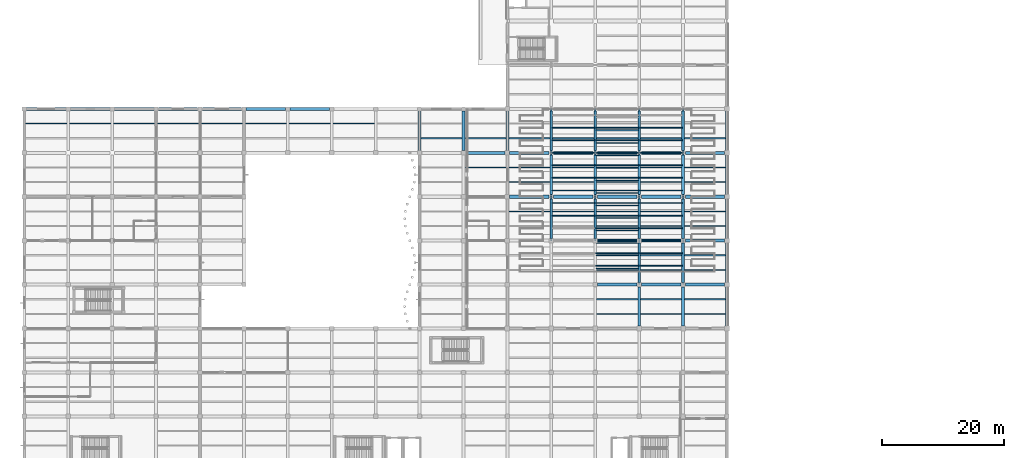
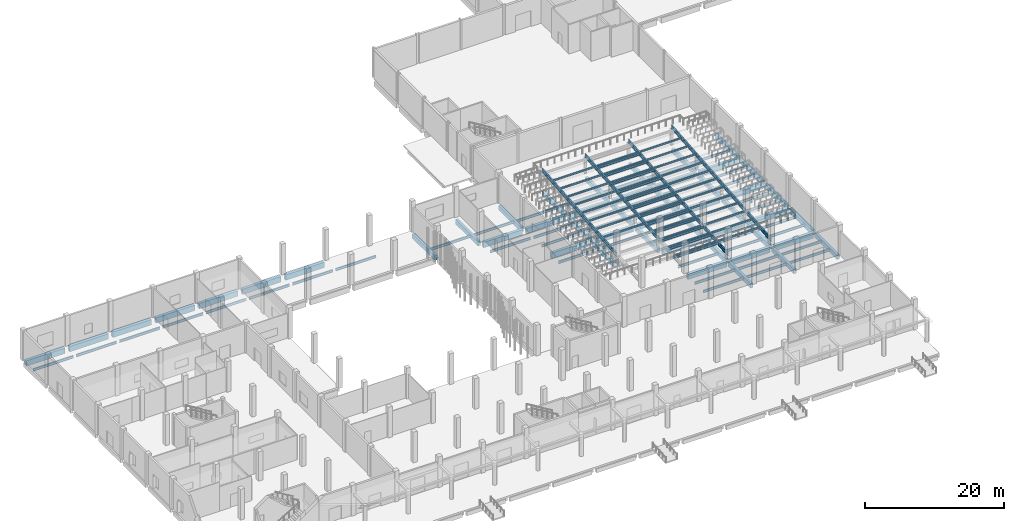
# One storey, part 17 of 46: 152 beams.
"""IFC4 building model written with IfcOpenShell, lengths in metres."""

from ifc_helpers import new_model, si_unit, direction, frame, origin, origin_2d, place, context, subcontext, project, spatial, rectangle, i_section, extrude, material, material_profile, profile_set, type_object, element, save


model = new_model("IFC4")

# Units and contexts
model_context = context("Model", 3, precision=1e-05, world=origin(), true_north=direction((0.0, 1.0)))
body_context = subcontext(model_context, "Body", "Model", "MODEL_VIEW")
ifc_project = project(units=[si_unit("LENGTHUNIT", "METRE"), si_unit("AREAUNIT", "SQUARE_METRE"), si_unit("VOLUMEUNIT", "CUBIC_METRE"), si_unit("PLANEANGLEUNIT", "RADIAN"), si_unit("MASSUNIT", "GRAM", prefix="KILO"), si_unit("THERMODYNAMICTEMPERATUREUNIT", "KELVIN"), si_unit("POWERUNIT", "WATT")], contexts=[model_context])

# Site, building, storey
site_placement = place(None, origin())
site = spatial("IfcSite", under=ifc_project, at=site_placement, CompositionType="ELEMENT")
building_placement = place(site_placement, origin())
building = spatial("IfcBuilding", under=site, at=building_placement, Name="Kaldorven Railside Theatre", CompositionType="ELEMENT")
storey_placement = place(building_placement, origin())
storey = spatial("IfcBuildingStorey", under=building, at=storey_placement, Name="L00", CompositionType="ELEMENT", Elevation=0.0)

# Beams
ifc_material_1 = material(Name="Steel S355", Category="steel")
ifc_material_profile_1 = material_profile(ifc_material_1, i_section(OverallWidth=0.14990234375, OverallDepth=0.300048828125, WebThickness=0.007080078125, FlangeThickness=0.0107421875, at=origin_2d()), Name="IPE 300")
ifc_profile_set_1 = profile_set([ifc_material_profile_1], Name="Steel S355")
beam_type_1 = type_object("IfcBeamType", Name="BM-IPE300", PredefinedType="JOIST", material=ifc_profile_set_1)
for number, where, z_axis, x_axis, name in (
    (1, (101.7099609375, 51.08544921875, 1.080078125), (1.0, 0.0, 0.0), (0.0, 1.0, 0.0), "Seating Tier Transverse Bearer TBR-V1S-022"),
    (2, (108.909912109375, 51.08544921875, 1.080078125), (1.0, 0.0, 0.0), (0.0, 1.0, 0.0), "Seating Tier Transverse Bearer TBR-V1S-023"),
    (3, (101.7099609375, 53.142578125, 1.260009765625), (1.0, 0.0, 0.0), (0.0, 1.0, 0.0), "Seating Tier Transverse Bearer TBR-V1S-032"),
    (4, (108.909912109375, 53.142578125, 1.260009765625), (1.0, 0.0, 0.0), (0.0, 1.0, 0.0), "Seating Tier Transverse Bearer TBR-V1S-033"),
    (5, (101.7099609375, 55.199462890625, 1.43994140625), (1.0, 0.0, 0.0), (0.0, 1.0, 0.0), "Seating Tier Transverse Bearer TBR-V1S-042"),
    (6, (108.909912109375, 55.199462890625, 1.43994140625), (1.0, 0.0, 0.0), (0.0, 1.0, 0.0), "Seating Tier Transverse Bearer TBR-V1S-043"),
    (7, (101.7099609375, 57.256591796875, 1.6201171875), (1.0, 0.0, 0.0), (0.0, 1.0, 0.0), "Seating Tier Transverse Bearer TBR-V1S-052"),
    (8, (108.909912109375, 57.256591796875, 1.6201171875), (1.0, 0.0, 0.0), (0.0, 1.0, 0.0), "Seating Tier Transverse Bearer TBR-V1S-053"),
    (9, (94.510009765625, 59.3134765625, 1.800048828125), (1.0, 0.0, 0.0), (0.0, 1.0, 0.0), "Seating Tier Transverse Bearer TBR-V1S-061"),
    (10, (101.7099609375, 59.3134765625, 1.800048828125), (1.0, 0.0, 0.0), (0.0, 1.0, 0.0), "Seating Tier Transverse Bearer TBR-V1S-062"),
    (11, (108.909912109375, 59.3134765625, 1.800048828125), (1.0, 0.0, 0.0), (0.0, 1.0, 0.0), "Seating Tier Transverse Bearer TBR-V1S-063"),
    (12, (94.510009765625, 61.37060546875, 1.97998046875), (1.0, 0.0, 0.0), (0.0, 1.0, 0.0), "Seating Tier Transverse Bearer TBR-V1S-071"),
    (13, (101.7099609375, 61.37060546875, 1.97998046875), (1.0, 0.0, 0.0), (0.0, 1.0, 0.0), "Seating Tier Transverse Bearer TBR-V1S-072"),
    (14, (108.909912109375, 61.37060546875, 1.97998046875), (1.0, 0.0, 0.0), (0.0, 1.0, 0.0), "Seating Tier Transverse Bearer TBR-V1S-073"),
    (15, (94.510009765625, 63.427490234375, 2.159912109375), (1.0, 0.0, 0.0), (0.0, 1.0, 0.0), "Seating Tier Transverse Bearer TBR-V1S-081"),
    (16, (101.7099609375, 63.427490234375, 2.159912109375), (1.0, 0.0, 0.0), (0.0, 1.0, 0.0), "Seating Tier Transverse Bearer TBR-V1S-082"),
    (17, (108.909912109375, 63.427490234375, 2.159912109375), (1.0, 0.0, 0.0), (0.0, 1.0, 0.0), "Seating Tier Transverse Bearer TBR-V1S-083"),
    (18, (94.510009765625, 65.484619140625, 2.340087890625), (1.0, 0.0, 0.0), (0.0, 1.0, 0.0), "Seating Tier Transverse Bearer TBR-V1S-091"),
    (19, (101.7099609375, 65.484619140625, 2.340087890625), (1.0, 0.0, 0.0), (0.0, 1.0, 0.0), "Seating Tier Transverse Bearer TBR-V1S-092"),
    (20, (108.909912109375, 65.484619140625, 2.340087890625), (1.0, 0.0, 0.0), (0.0, 1.0, 0.0), "Seating Tier Transverse Bearer TBR-V1S-093"),
    (21, (94.510009765625, 67.54150390625, 2.52001953125), (1.0, 0.0, 0.0), (0.0, 1.0, 0.0), "Seating Tier Transverse Bearer TBR-V1S-101"),
    (22, (101.7099609375, 67.54150390625, 2.52001953125), (1.0, 0.0, 0.0), (0.0, 1.0, 0.0), "Seating Tier Transverse Bearer TBR-V1S-102"),
    (23, (108.909912109375, 67.54150390625, 2.52001953125), (1.0, 0.0, 0.0), (0.0, 1.0, 0.0), "Seating Tier Transverse Bearer TBR-V1S-103"),
    (24, (94.510009765625, 69.598388671875, 2.699951171875), (1.0, 0.0, 0.0), (0.0, 1.0, 0.0), "Seating Tier Transverse Bearer TBR-V1S-111"),
    (25, (101.7099609375, 69.598388671875, 2.699951171875), (1.0, 0.0, 0.0), (0.0, 1.0, 0.0), "Seating Tier Transverse Bearer TBR-V1S-112"),
    (26, (108.909912109375, 69.598388671875, 2.699951171875), (1.0, 0.0, 0.0), (0.0, 1.0, 0.0), "Seating Tier Transverse Bearer TBR-V1S-113"),
    (27, (94.510009765625, 71.655517578125, 2.8798828125), (1.0, 0.0, 0.0), (0.0, 1.0, 0.0), "Seating Tier Transverse Bearer TBR-V1S-121"),
    (28, (101.7099609375, 71.655517578125, 2.8798828125), (1.0, 0.0, 0.0), (0.0, 1.0, 0.0), "Seating Tier Transverse Bearer TBR-V1S-122"),
    (29, (108.909912109375, 71.655517578125, 2.8798828125), (1.0, 0.0, 0.0), (0.0, 1.0, 0.0), "Seating Tier Transverse Bearer TBR-V1S-123"),
    (30, (94.510009765625, 73.71240234375, 3.06005859375), (1.0, 0.0, 0.0), (0.0, 1.0, 0.0), "Seating Tier Transverse Bearer TBR-V1S-131"),
    (31, (101.7099609375, 73.71240234375, 3.06005859375), (1.0, 0.0, 0.0), (0.0, 1.0, 0.0), "Seating Tier Transverse Bearer TBR-V1S-132"),
    (32, (108.909912109375, 73.71240234375, 3.06005859375), (1.0, 0.0, 0.0), (0.0, 1.0, 0.0), "Seating Tier Transverse Bearer TBR-V1S-133"),
):
    element("IfcBeam", number, at=place(storey_placement, frame(where, z_axis=z_axis, x_axis=x_axis)), inside=storey, type_object=beam_type_1, Name=name, PredefinedType="JOIST", context=body_context, shape_type="SweptSolid", body=[
        extrude(i_section(OverallWidth=0.14990234375, OverallDepth=0.300048828125, WebThickness=0.007080078125, FlangeThickness=0.0107421875, at=origin_2d()), origin(), (0.0, 0.0, 1.0), 6.97998046875),
    ])
ifc_material_profile_2 = material_profile(ifc_material_1, i_section(OverallWidth=0.169921875, OverallDepth=0.360107421875, WebThickness=0.008056640625, FlangeThickness=0.0126953125, at=origin_2d()), Name="IPE 360")
ifc_profile_set_2 = profile_set([ifc_material_profile_2], Name="Steel S355")
beam_type_2 = type_object("IfcBeamType", Name="BM-IPE360", PredefinedType="JOIST", material=ifc_profile_set_2)
for number, where, z_axis, x_axis, name in (
    (33, (101.7099609375, 50.674072265625, 1.050048828125), (1.0, 0.0, 0.0), (0.0, 1.0, 0.0), "Seating Tier Front Step Bearer TBF-V1S-02"),
    (34, (101.7099609375, 52.731201171875, 1.22998046875), (1.0, 0.0, 0.0), (0.0, 1.0, 0.0), "Seating Tier Front Step Bearer TBF-V1S-03"),
    (35, (101.7099609375, 54.7880859375, 1.409912109375), (1.0, 0.0, 0.0), (0.0, 1.0, 0.0), "Seating Tier Front Step Bearer TBF-V1S-04"),
    (36, (101.7099609375, 56.84521484375, 1.590087890625), (1.0, 0.0, 0.0), (0.0, 1.0, 0.0), "Seating Tier Front Step Bearer TBF-V1S-05"),
    (37, (101.7099609375, 58.902099609375, 1.77001953125), (1.0, 0.0, 0.0), (0.0, 1.0, 0.0), "Seating Tier Front Step Bearer TBF-V1S-06"),
    (38, (101.7099609375, 60.958984375, 1.949951171875), (1.0, 0.0, 0.0), (0.0, 1.0, 0.0), "Seating Tier Front Step Bearer TBF-V1S-07"),
    (39, (101.7099609375, 63.01611328125, 2.1298828125), (1.0, 0.0, 0.0), (0.0, 1.0, 0.0), "Seating Tier Front Step Bearer TBF-V1S-08"),
    (40, (101.7099609375, 65.072998046875, 2.31005859375), (1.0, 0.0, 0.0), (0.0, 1.0, 0.0), "Seating Tier Front Step Bearer TBF-V1S-09"),
    (41, (101.7099609375, 67.130126953125, 2.489990234375), (1.0, 0.0, 0.0), (0.0, 1.0, 0.0), "Seating Tier Front Step Bearer TBF-V1S-10"),
    (42, (101.7099609375, 69.18701171875, 2.669921875), (1.0, 0.0, 0.0), (0.0, 1.0, 0.0), "Seating Tier Front Step Bearer TBF-V1S-11"),
    (43, (101.7099609375, 71.244140625, 2.85009765625), (1.0, 0.0, 0.0), (0.0, 1.0, 0.0), "Seating Tier Front Step Bearer TBF-V1S-12"),
    (44, (101.7099609375, 73.301025390625, 3.030029296875), (1.0, 0.0, 0.0), (0.0, 1.0, 0.0), "Seating Tier Front Step Bearer TBF-V1S-13"),
):
    element("IfcBeam", number, at=place(storey_placement, frame(where, z_axis=z_axis, x_axis=x_axis)), inside=storey, type_object=beam_type_2, Name=name, PredefinedType="JOIST", context=body_context, shape_type="SweptSolid", body=[
        extrude(i_section(OverallWidth=0.169921875, OverallDepth=0.360107421875, WebThickness=0.008056640625, FlangeThickness=0.0126953125, at=origin_2d()), origin(), (0.0, 0.0, 1.0), 6.97998046875),
    ])
ifc_material_profile_3 = material_profile(ifc_material_1, i_section(OverallWidth=0.18994140625, OverallDepth=0.449951171875, WebThickness=0.009521484375, FlangeThickness=0.0146484375, at=origin_2d()), Name="IPE 450")
ifc_profile_set_3 = profile_set([ifc_material_profile_3], Name="Steel S355")
beam_type_3 = type_object("IfcBeamType", Name="BM-IPE450", PredefinedType="JOIST", material=ifc_profile_set_3)
for number, where, z_axis, x_axis, name in (
    (45, (101.824951171875, 43.199951171875, -0.574951171875), (1.0, 0.0, 0.0), (0.0, 1.0, 0.0), "L00 Secondary Floor Joist JG-L00-101-0432"),
    (46, (101.824951171875, 45.60009765625, -0.574951171875), (1.0, 0.0, 0.0), (0.0, 1.0, 0.0), "L00 Secondary Floor Joist JG-L00-101-0456"),
    (47, (109.02490234375, 43.199951171875, -0.574951171875), (1.0, 0.0, 0.0), (0.0, 1.0, 0.0), "L00 Secondary Floor Joist JG-L00-108-0432"),
    (48, (109.02490234375, 45.60009765625, -0.574951171875), (1.0, 0.0, 0.0), (0.0, 1.0, 0.0), "L00 Secondary Floor Joist JG-L00-108-0456"),
    (49, (116.22509765625, 43.199951171875, -0.574951171875), (1.0, 0.0, 0.0), (0.0, 1.0, 0.0), "L00 Secondary Floor Joist JG-L00-116-0432"),
    (50, (116.22509765625, 45.60009765625, -0.574951171875), (1.0, 0.0, 0.0), (0.0, 1.0, 0.0), "L00 Secondary Floor Joist JG-L00-116-0456"),
    (51, (101.824951171875, 50.39990234375, -0.574951171875), (1.0, 0.0, 0.0), (0.0, 1.0, 0.0), "L00 Secondary Floor Joist JG-L00-101-0504"),
    (52, (101.824951171875, 52.800048828125, -0.574951171875), (1.0, 0.0, 0.0), (0.0, 1.0, 0.0), "L00 Secondary Floor Joist JG-L00-101-0528"),
    (53, (109.02490234375, 50.39990234375, -0.574951171875), (1.0, 0.0, 0.0), (0.0, 1.0, 0.0), "L00 Secondary Floor Joist JG-L00-108-0504"),
    (54, (109.02490234375, 52.800048828125, -0.574951171875), (1.0, 0.0, 0.0), (0.0, 1.0, 0.0), "L00 Secondary Floor Joist JG-L00-108-0528"),
    (55, (116.22509765625, 50.39990234375, -0.574951171875), (1.0, 0.0, 0.0), (0.0, 1.0, 0.0), "L00 Secondary Floor Joist JG-L00-116-0504"),
    (56, (116.22509765625, 52.800048828125, -0.574951171875), (1.0, 0.0, 0.0), (0.0, 1.0, 0.0), "L00 Secondary Floor Joist JG-L00-116-0528"),
    (57, (87.425048828125, 60.0, -0.574951171875), (1.0, 0.0, 0.0), (0.0, 1.0, 0.0), "L00 Secondary Floor Joist JG-L00-087-0600"),
    (58, (94.625, 60.0, -0.574951171875), (1.0, 0.0, 0.0), (0.0, 1.0, 0.0), "L00 Secondary Floor Joist JG-L00-094-0600"),
    (59, (101.824951171875, 57.60009765625, -0.574951171875), (1.0, 0.0, 0.0), (0.0, 1.0, 0.0), "L00 Secondary Floor Joist JG-L00-101-0576"),
    (60, (101.824951171875, 60.0, -0.574951171875), (1.0, 0.0, 0.0), (0.0, 1.0, 0.0), "L00 Secondary Floor Joist JG-L00-101-0600"),
    (61, (109.02490234375, 57.60009765625, -0.574951171875), (1.0, 0.0, 0.0), (0.0, 1.0, 0.0), "L00 Secondary Floor Joist JG-L00-108-0576"),
    (62, (109.02490234375, 60.0, -0.574951171875), (1.0, 0.0, 0.0), (0.0, 1.0, 0.0), "L00 Secondary Floor Joist JG-L00-108-0600"),
    (63, (116.22509765625, 57.60009765625, -0.574951171875), (1.0, 0.0, 0.0), (0.0, 1.0, 0.0), "L00 Secondary Floor Joist JG-L00-116-0576"),
    (64, (116.22509765625, 60.0, -0.574951171875), (1.0, 0.0, 0.0), (0.0, 1.0, 0.0), "L00 Secondary Floor Joist JG-L00-116-0600"),
    (65, (80.22509765625, 67.199951171875, -0.52490234375), (1.0, 0.0, 0.0), (0.0, 1.0, 0.0), "L00 Secondary Floor Joist JG-L00-080-0672"),
    (66, (87.425048828125, 64.800048828125, -0.574951171875), (1.0, 0.0, 0.0), (0.0, 1.0, 0.0), "L00 Secondary Floor Joist JG-L00-087-0648"),
    (67, (87.425048828125, 67.199951171875, -0.574951171875), (1.0, 0.0, 0.0), (0.0, 1.0, 0.0), "L00 Secondary Floor Joist JG-L00-087-0672"),
    (68, (94.625, 64.800048828125, -0.574951171875), (1.0, 0.0, 0.0), (0.0, 1.0, 0.0), "L00 Secondary Floor Joist JG-L00-094-0648"),
    (69, (94.625, 67.199951171875, -0.574951171875), (1.0, 0.0, 0.0), (0.0, 1.0, 0.0), "L00 Secondary Floor Joist JG-L00-094-0672"),
    (70, (101.824951171875, 64.800048828125, -0.574951171875), (1.0, 0.0, 0.0), (0.0, 1.0, 0.0), "L00 Secondary Floor Joist JG-L00-101-0648"),
    (71, (101.824951171875, 67.199951171875, -0.574951171875), (1.0, 0.0, 0.0), (0.0, 1.0, 0.0), "L00 Secondary Floor Joist JG-L00-101-0672"),
    (72, (109.02490234375, 64.800048828125, -0.574951171875), (1.0, 0.0, 0.0), (0.0, 1.0, 0.0), "L00 Secondary Floor Joist JG-L00-108-0648"),
    (73, (109.02490234375, 67.199951171875, -0.574951171875), (1.0, 0.0, 0.0), (0.0, 1.0, 0.0), "L00 Secondary Floor Joist JG-L00-108-0672"),
    (74, (116.22509765625, 64.800048828125, -0.574951171875), (1.0, 0.0, 0.0), (0.0, 1.0, 0.0), "L00 Secondary Floor Joist JG-L00-116-0648"),
    (75, (116.22509765625, 67.199951171875, -0.574951171875), (1.0, 0.0, 0.0), (0.0, 1.0, 0.0), "L00 Secondary Floor Joist JG-L00-116-0672"),
):
    element("IfcBeam", number, at=place(storey_placement, frame(where, z_axis=z_axis, x_axis=x_axis)), inside=storey, type_object=beam_type_3, Name=name, PredefinedType="JOIST", context=body_context, shape_type="SweptSolid", body=[
        extrude(i_section(OverallWidth=0.18994140625, OverallDepth=0.449951171875, WebThickness=0.009521484375, FlangeThickness=0.0146484375, at=origin_2d()), origin(), (0.0, 0.0, 1.0), 6.75),
    ])
beam_1_placement = place(storey_placement, frame((8.199951171875, 74.39990234375, -0.52490234375), z_axis=(1.0, 0.0, 0.0), x_axis=(0.0, 1.0, 0.0)))
element("IfcBeam", 76, at=beam_1_placement, inside=storey, type_object=beam_type_3, Name="L00 Secondary Floor Joist JG-L00-008-0744", PredefinedType="JOIST", context=body_context, shape_type="SweptSolid", body=[
    extrude(i_section(OverallWidth=0.18994140625, OverallDepth=0.449951171875, WebThickness=0.009521484375, FlangeThickness=0.0146484375, at=origin_2d()), origin(), (0.0, 0.0, 1.0), 6.775146484375),
])
for number, where, z_axis, x_axis, name in (
    (77, (15.425048828125, 74.39990234375, -0.52490234375), (1.0, 0.0, 0.0), (0.0, 1.0, 0.0), "L00 Secondary Floor Joist JG-L00-015-0744"),
    (78, (22.625, 74.39990234375, -0.52490234375), (1.0, 0.0, 0.0), (0.0, 1.0, 0.0), "L00 Secondary Floor Joist JG-L00-022-0744"),
    (79, (29.824951171875, 74.39990234375, -0.52490234375), (1.0, 0.0, 0.0), (0.0, 1.0, 0.0), "L00 Secondary Floor Joist JG-L00-029-0744"),
    (80, (37.02490234375, 74.39990234375, -0.52490234375), (1.0, 0.0, 0.0), (0.0, 1.0, 0.0), "L00 Secondary Floor Joist JG-L00-036-0744"),
    (81, (44.22509765625, 74.39990234375, -0.52490234375), (1.0, 0.0, 0.0), (0.0, 1.0, 0.0), "L00 Secondary Floor Joist JG-L00-044-0744"),
    (82, (51.425048828125, 74.39990234375, -0.52490234375), (1.0, 0.0, 0.0), (0.0, 1.0, 0.0), "L00 Secondary Floor Joist JG-L00-051-0744"),
    (83, (58.625, 74.39990234375, -0.52490234375), (1.0, 0.0, 0.0), (0.0, 1.0, 0.0), "L00 Secondary Floor Joist JG-L00-058-0744"),
    (84, (73.02490234375, 72.0, -0.52490234375), (1.0, 0.0, 0.0), (0.0, 1.0, 0.0), "L00 Secondary Floor Joist JG-L00-072-0720"),
    (85, (80.22509765625, 72.0, -0.52490234375), (1.0, 0.0, 0.0), (0.0, 1.0, 0.0), "L00 Secondary Floor Joist JG-L00-080-0720"),
    (86, (87.425048828125, 72.0, -0.574951171875), (1.0, 0.0, 0.0), (0.0, 1.0, 0.0), "L00 Secondary Floor Joist JG-L00-087-0720"),
    (87, (94.625, 72.0, -0.574951171875), (1.0, 0.0, 0.0), (0.0, 1.0, 0.0), "L00 Secondary Floor Joist JG-L00-094-0720"),
    (88, (101.824951171875, 72.0, -0.574951171875), (1.0, 0.0, 0.0), (0.0, 1.0, 0.0), "L00 Secondary Floor Joist JG-L00-101-0720"),
    (89, (109.02490234375, 72.0, -0.574951171875), (1.0, 0.0, 0.0), (0.0, 1.0, 0.0), "L00 Secondary Floor Joist JG-L00-108-0720"),
    (90, (116.22509765625, 72.0, -0.574951171875), (1.0, 0.0, 0.0), (0.0, 1.0, 0.0), "L00 Secondary Floor Joist JG-L00-116-0720"),
):
    element("IfcBeam", number, at=place(storey_placement, frame(where, z_axis=z_axis, x_axis=x_axis)), inside=storey, type_object=beam_type_3, Name=name, PredefinedType="JOIST", context=body_context, shape_type="SweptSolid", body=[
        extrude(i_section(OverallWidth=0.18994140625, OverallDepth=0.449951171875, WebThickness=0.009521484375, FlangeThickness=0.0146484375, at=origin_2d()), origin(), (0.0, 0.0, 1.0), 6.75),
    ])
ifc_material_profile_4 = material_profile(ifc_material_1, i_section(OverallWidth=0.219970703125, OverallDepth=0.60009765625, WebThickness=0.011962890625, FlangeThickness=0.01904296875, at=origin_2d()), Name="IPE 600")
ifc_profile_set_4 = profile_set([ifc_material_profile_4], Name="Steel S355")
beam_type_4 = type_object("IfcBeamType", Name="BM-IPE600", PredefinedType="USERDEFINED", material=ifc_profile_set_4)
beam_2_placement = place(storey_placement, frame((94.39990234375, 55.199951171875, 1.25), z_axis=(0.0, 0.996192140711, 0.08718496881), x_axis=(-1.0, 0.0, 0.0)))
element("IfcBeam", 91, at=beam_2_placement, inside=storey, type_object=beam_type_4, Name="Auditorium Raker Girder RKG-V1S-12", ObjectType="RAKER BEAM", PredefinedType="USERDEFINED", context=body_context, shape_type="SweptSolid", body=[
    extrude(i_section(OverallWidth=0.219970703125, OverallDepth=0.60009765625, WebThickness=0.011962890625, FlangeThickness=0.01904296875, at=origin_2d()), origin(), (0.0, 0.0, 1.0), 7.2275390625),
])
beam_3_placement = place(storey_placement, frame((94.39990234375, 62.39990234375, 1.880126953125), z_axis=(0.0, 0.996195330564, 0.087148513253), x_axis=(-1.0, 0.0, 0.0)))
element("IfcBeam", 92, at=beam_3_placement, inside=storey, type_object=beam_type_4, Name="Auditorium Raker Girder RKG-V1S-13", ObjectType="RAKER BEAM", PredefinedType="USERDEFINED", context=body_context, shape_type="SweptSolid", body=[
    extrude(i_section(OverallWidth=0.219970703125, OverallDepth=0.60009765625, WebThickness=0.011962890625, FlangeThickness=0.01904296875, at=origin_2d()), origin(), (0.0, 0.0, 1.0), 7.227783203125),
])
for number, where, z_axis, x_axis, name in (
    (93, (94.39990234375, 69.60009765625, 2.510009765625), (0.0, 0.996192140711, 0.08718496881), (-1.0, 0.0, 0.0), "Auditorium Raker Girder RKG-V1S-14"),
    (94, (101.60009765625, 55.199951171875, 1.25), (0.0, 0.996192140711, 0.08718496881), (-1.0, 0.0, 0.0), "Auditorium Raker Girder RKG-V1S-22"),
):
    element("IfcBeam", number, at=place(storey_placement, frame(where, z_axis=z_axis, x_axis=x_axis)), inside=storey, type_object=beam_type_4, Name=name, ObjectType="RAKER BEAM", PredefinedType="USERDEFINED", context=body_context, shape_type="SweptSolid", body=[
        extrude(i_section(OverallWidth=0.219970703125, OverallDepth=0.60009765625, WebThickness=0.011962890625, FlangeThickness=0.01904296875, at=origin_2d()), origin(), (0.0, 0.0, 1.0), 7.2275390625),
    ])
beam_4_placement = place(storey_placement, frame((101.60009765625, 62.39990234375, 1.880126953125), z_axis=(0.0, 0.996195330564, 0.087148513253), x_axis=(-1.0, 0.0, 0.0)))
element("IfcBeam", 95, at=beam_4_placement, inside=storey, type_object=beam_type_4, Name="Auditorium Raker Girder RKG-V1S-23", ObjectType="RAKER BEAM", PredefinedType="USERDEFINED", context=body_context, shape_type="SweptSolid", body=[
    extrude(i_section(OverallWidth=0.219970703125, OverallDepth=0.60009765625, WebThickness=0.011962890625, FlangeThickness=0.01904296875, at=origin_2d()), origin(), (0.0, 0.0, 1.0), 7.227783203125),
])
for number, where, z_axis, x_axis, name in (
    (96, (101.60009765625, 69.60009765625, 2.510009765625), (0.0, 0.996192140711, 0.08718496881), (-1.0, 0.0, 0.0), "Auditorium Raker Girder RKG-V1S-24"),
    (97, (108.800048828125, 48.0, 0.6201171875), (0.0, 0.996195074008, 0.087151445897), (-1.0, 0.0, 0.0), "Auditorium Raker Girder RKG-V1S-31"),
    (98, (108.800048828125, 55.199951171875, 1.25), (0.0, 0.996192140711, 0.08718496881), (-1.0, 0.0, 0.0), "Auditorium Raker Girder RKG-V1S-32"),
):
    element("IfcBeam", number, at=place(storey_placement, frame(where, z_axis=z_axis, x_axis=x_axis)), inside=storey, type_object=beam_type_4, Name=name, ObjectType="RAKER BEAM", PredefinedType="USERDEFINED", context=body_context, shape_type="SweptSolid", body=[
        extrude(i_section(OverallWidth=0.219970703125, OverallDepth=0.60009765625, WebThickness=0.011962890625, FlangeThickness=0.01904296875, at=origin_2d()), origin(), (0.0, 0.0, 1.0), 7.2275390625),
    ])
beam_5_placement = place(storey_placement, frame((108.800048828125, 62.39990234375, 1.880126953125), z_axis=(0.0, 0.996195330564, 0.087148513253), x_axis=(-1.0, 0.0, 0.0)))
element("IfcBeam", 99, at=beam_5_placement, inside=storey, type_object=beam_type_4, Name="Auditorium Raker Girder RKG-V1S-33", ObjectType="RAKER BEAM", PredefinedType="USERDEFINED", context=body_context, shape_type="SweptSolid", body=[
    extrude(i_section(OverallWidth=0.219970703125, OverallDepth=0.60009765625, WebThickness=0.011962890625, FlangeThickness=0.01904296875, at=origin_2d()), origin(), (0.0, 0.0, 1.0), 7.227783203125),
])
for number, where, z_axis, x_axis, name in (
    (100, (108.800048828125, 69.60009765625, 2.510009765625), (0.0, 0.996192140711, 0.08718496881), (-1.0, 0.0, 0.0), "Auditorium Raker Girder RKG-V1S-34"),
    (101, (116.0, 48.0, 0.6201171875), (0.0, 0.996195074008, 0.087151445897), (-1.0, 0.0, 0.0), "Auditorium Raker Girder RKG-V1S-41"),
    (102, (116.0, 55.199951171875, 1.25), (0.0, 0.996192140711, 0.08718496881), (-1.0, 0.0, 0.0), "Auditorium Raker Girder RKG-V1S-42"),
):
    element("IfcBeam", number, at=place(storey_placement, frame(where, z_axis=z_axis, x_axis=x_axis)), inside=storey, type_object=beam_type_4, Name=name, ObjectType="RAKER BEAM", PredefinedType="USERDEFINED", context=body_context, shape_type="SweptSolid", body=[
        extrude(i_section(OverallWidth=0.219970703125, OverallDepth=0.60009765625, WebThickness=0.011962890625, FlangeThickness=0.01904296875, at=origin_2d()), origin(), (0.0, 0.0, 1.0), 7.2275390625),
    ])
beam_6_placement = place(storey_placement, frame((116.0, 62.39990234375, 1.880126953125), z_axis=(0.0, 0.996195330564, 0.087148513253), x_axis=(-1.0, 0.0, 0.0)))
element("IfcBeam", 103, at=beam_6_placement, inside=storey, type_object=beam_type_4, Name="Auditorium Raker Girder RKG-V1S-43", ObjectType="RAKER BEAM", PredefinedType="USERDEFINED", context=body_context, shape_type="SweptSolid", body=[
    extrude(i_section(OverallWidth=0.219970703125, OverallDepth=0.60009765625, WebThickness=0.011962890625, FlangeThickness=0.01904296875, at=origin_2d()), origin(), (0.0, 0.0, 1.0), 7.227783203125),
])
beam_7_placement = place(storey_placement, frame((116.0, 69.60009765625, 2.510009765625), z_axis=(0.0, 0.996192140711, 0.08718496881), x_axis=(-1.0, 0.0, 0.0)))
element("IfcBeam", 104, at=beam_7_placement, inside=storey, type_object=beam_type_4, Name="Auditorium Raker Girder RKG-V1S-44", ObjectType="RAKER BEAM", PredefinedType="USERDEFINED", context=body_context, shape_type="SweptSolid", body=[
    extrude(i_section(OverallWidth=0.219970703125, OverallDepth=0.60009765625, WebThickness=0.011962890625, FlangeThickness=0.01904296875, at=origin_2d()), origin(), (0.0, 0.0, 1.0), 7.2275390625),
])
ifc_material_2 = material(Name="Concrete C40/50", Category="concrete")
ifc_material_profile_5 = material_profile(ifc_material_2, rectangle(XDim=0.449951171875, YDim=0.800048828125, at=origin_2d()), Name="RC 450x800")
ifc_profile_set_5 = profile_set([ifc_material_profile_5], Name="Concrete C40/50")
beam_type_5 = type_object("IfcBeamType", Name="BM-RC450x800", PredefinedType="BEAM", material=ifc_profile_set_5)
for number, where, z_axis, x_axis, name in (
    (105, (108.800048828125, 41.175048828125, -0.75), (0.0, 1.0, 0.0), (-1.0, 0.0, 0.0), "L00 Girder BGY-L00-108-040-72"),
    (106, (116.0, 41.175048828125, -0.75), (0.0, 1.0, 0.0), (-1.0, 0.0, 0.0), "L00 Girder BGY-L00-116-040-72"),
    (107, (123.199951171875, 41.175048828125, -0.75), (0.0, 1.0, 0.0), (-1.0, 0.0, 0.0), "L00 Girder BGY-L00-123-040-72"),
    (108, (108.800048828125, 48.375, -0.75), (0.0, 1.0, 0.0), (-1.0, 0.0, 0.0), "L00 Girder BGY-L00-108-048-72"),
    (109, (116.0, 48.375, -0.75), (0.0, 1.0, 0.0), (-1.0, 0.0, 0.0), "L00 Girder BGY-L00-116-048-72"),
    (110, (123.199951171875, 48.375, -0.75), (0.0, 1.0, 0.0), (-1.0, 0.0, 0.0), "L00 Girder BGY-L00-123-048-72"),
    (111, (94.39990234375, 55.574951171875, -0.75), (0.0, 1.0, 0.0), (-1.0, 0.0, 0.0), "L00 Girder BGY-L00-094-055-72"),
    (112, (101.60009765625, 55.574951171875, -0.75), (0.0, 1.0, 0.0), (-1.0, 0.0, 0.0), "L00 Girder BGY-L00-101-055-72"),
    (113, (108.800048828125, 55.574951171875, -0.75), (0.0, 1.0, 0.0), (-1.0, 0.0, 0.0), "L00 Girder BGY-L00-108-055-72"),
    (114, (116.0, 55.574951171875, -0.75), (0.0, 1.0, 0.0), (-1.0, 0.0, 0.0), "L00 Girder BGY-L00-116-055-72"),
    (115, (123.199951171875, 55.574951171875, -0.75), (0.0, 1.0, 0.0), (-1.0, 0.0, 0.0), "L00 Girder BGY-L00-123-055-72"),
):
    element("IfcBeam", number, at=place(storey_placement, frame(where, z_axis=z_axis, x_axis=x_axis)), inside=storey, type_object=beam_type_5, Name=name, PredefinedType="BEAM", context=body_context, shape_type="SweptSolid", body=[
        extrude(rectangle(XDim=0.449951171875, YDim=0.800048828125, at=origin_2d()), origin(), (0.0, 0.0, 1.0), 6.449951171875),
    ])
for number, where, z_axis, x_axis, name in (
    (116, (94.39990234375, 62.77490234375, -0.75), (0.0, 1.0, 0.0), (-1.0, 0.0, 0.0), "L00 Girder BGY-L00-094-062-72"),
    (117, (101.60009765625, 62.77490234375, -0.75), (0.0, 1.0, 0.0), (-1.0, 0.0, 0.0), "L00 Girder BGY-L00-101-062-72"),
    (118, (108.800048828125, 62.77490234375, -0.75), (0.0, 1.0, 0.0), (-1.0, 0.0, 0.0), "L00 Girder BGY-L00-108-062-72"),
    (119, (116.0, 62.77490234375, -0.75), (0.0, 1.0, 0.0), (-1.0, 0.0, 0.0), "L00 Girder BGY-L00-116-062-72"),
    (120, (123.199951171875, 62.77490234375, -0.75), (0.0, 1.0, 0.0), (-1.0, 0.0, 0.0), "L00 Girder BGY-L00-123-062-72"),
):
    element("IfcBeam", number, at=place(storey_placement, frame(where, z_axis=z_axis, x_axis=x_axis)), inside=storey, type_object=beam_type_5, Name=name, PredefinedType="BEAM", context=body_context, shape_type="SweptSolid", body=[
        extrude(rectangle(XDim=0.449951171875, YDim=0.800048828125, at=origin_2d()), origin(), (0.0, 0.0, 1.0), 6.4501953125),
    ])
for number, where, z_axis, x_axis, name in (
    (121, (72.800048828125, 69.97509765625, -0.699951171875), (0.0, 1.0, 0.0), (-1.0, 0.0, 0.0), "L00 Girder BGY-L00-072-069-72"),
    (122, (80.0, 69.97509765625, -0.699951171875), (0.0, 1.0, 0.0), (-1.0, 0.0, 0.0), "L00 Girder BGY-L00-080-069-72"),
    (123, (87.199951171875, 69.97509765625, -0.75), (0.0, 1.0, 0.0), (-1.0, 0.0, 0.0), "L00 Girder BGY-L00-087-069-72"),
    (124, (94.39990234375, 69.97509765625, -0.75), (0.0, 1.0, 0.0), (-1.0, 0.0, 0.0), "L00 Girder BGY-L00-094-069-72"),
    (125, (101.60009765625, 69.97509765625, -0.75), (0.0, 1.0, 0.0), (-1.0, 0.0, 0.0), "L00 Girder BGY-L00-101-069-72"),
    (126, (108.800048828125, 69.97509765625, -0.75), (0.0, 1.0, 0.0), (-1.0, 0.0, 0.0), "L00 Girder BGY-L00-108-069-72"),
    (127, (116.0, 69.97509765625, -0.75), (0.0, 1.0, 0.0), (-1.0, 0.0, 0.0), "L00 Girder BGY-L00-116-069-72"),
    (128, (123.199951171875, 69.97509765625, -0.75), (0.0, 1.0, 0.0), (-1.0, 0.0, 0.0), "L00 Girder BGY-L00-123-069-72"),
):
    element("IfcBeam", number, at=place(storey_placement, frame(where, z_axis=z_axis, x_axis=x_axis)), inside=storey, type_object=beam_type_5, Name=name, PredefinedType="BEAM", context=body_context, shape_type="SweptSolid", body=[
        extrude(rectangle(XDim=0.449951171875, YDim=0.800048828125, at=origin_2d()), origin(), (0.0, 0.0, 1.0), 6.449951171875),
    ])
ifc_material_profile_6 = material_profile(ifc_material_2, rectangle(XDim=0.5, YDim=0.949951171875, at=origin_2d()), Name="RC 500x950")
ifc_profile_set_6 = profile_set([ifc_material_profile_6], Name="Concrete C40/50")
beam_type_6 = type_object("IfcBeamType", Name="BM-RC500x950", PredefinedType="BEAM", material=ifc_profile_set_6)
for number, where, z_axis, x_axis, name in (
    (129, (101.97509765625, 48.0, -0.824951171875), (1.0, 0.0, 0.0), (0.0, 1.0, 0.0), "L00 Girder BGX-L00-101-048"),
    (130, (109.175048828125, 48.0, -0.824951171875), (1.0, 0.0, 0.0), (0.0, 1.0, 0.0), "L00 Girder BGX-L00-108-048"),
    (131, (116.375, 48.0, -0.824951171875), (1.0, 0.0, 0.0), (0.0, 1.0, 0.0), "L00 Girder BGX-L00-116-048"),
    (132, (101.97509765625, 55.199951171875, -0.824951171875), (1.0, 0.0, 0.0), (0.0, 1.0, 0.0), "L00 Girder BGX-L00-101-055"),
    (133, (109.175048828125, 55.199951171875, -0.824951171875), (1.0, 0.0, 0.0), (0.0, 1.0, 0.0), "L00 Girder BGX-L00-108-055"),
    (134, (116.375, 55.199951171875, -0.824951171875), (1.0, 0.0, 0.0), (0.0, 1.0, 0.0), "L00 Girder BGX-L00-116-055"),
    (135, (87.574951171875, 62.39990234375, -0.824951171875), (1.0, 0.0, 0.0), (0.0, 1.0, 0.0), "L00 Girder BGX-L00-087-062"),
):
    element("IfcBeam", number, at=place(storey_placement, frame(where, z_axis=z_axis, x_axis=x_axis)), inside=storey, type_object=beam_type_6, Name=name, PredefinedType="BEAM", context=body_context, shape_type="SweptSolid", body=[
        extrude(rectangle(XDim=0.5, YDim=0.949951171875, at=origin_2d()), origin(), (0.0, 0.0, 1.0), 6.449951171875),
    ])
beam_8_placement = place(storey_placement, frame((94.77490234375, 62.39990234375, -0.824951171875), z_axis=(1.0, 0.0, 0.0), x_axis=(0.0, 1.0, 0.0)))
element("IfcBeam", 136, at=beam_8_placement, inside=storey, type_object=beam_type_6, Name="L00 Girder BGX-L00-094-062", PredefinedType="BEAM", context=body_context, shape_type="SweptSolid", body=[
    extrude(rectangle(XDim=0.5, YDim=0.949951171875, at=origin_2d()), origin(), (0.0, 0.0, 1.0), 6.4501953125),
])
for number, where, z_axis, x_axis, name in (
    (137, (101.97509765625, 62.39990234375, -0.824951171875), (1.0, 0.0, 0.0), (0.0, 1.0, 0.0), "L00 Girder BGX-L00-101-062"),
    (138, (109.175048828125, 62.39990234375, -0.824951171875), (1.0, 0.0, 0.0), (0.0, 1.0, 0.0), "L00 Girder BGX-L00-108-062"),
    (139, (116.375, 62.39990234375, -0.824951171875), (1.0, 0.0, 0.0), (0.0, 1.0, 0.0), "L00 Girder BGX-L00-116-062"),
    (140, (80.375, 69.60009765625, -0.77490234375), (1.0, 0.0, 0.0), (0.0, 1.0, 0.0), "L00 Girder BGX-L00-080-069"),
    (141, (87.574951171875, 69.60009765625, -0.824951171875), (1.0, 0.0, 0.0), (0.0, 1.0, 0.0), "L00 Girder BGX-L00-087-069"),
):
    element("IfcBeam", number, at=place(storey_placement, frame(where, z_axis=z_axis, x_axis=x_axis)), inside=storey, type_object=beam_type_6, Name=name, PredefinedType="BEAM", context=body_context, shape_type="SweptSolid", body=[
        extrude(rectangle(XDim=0.5, YDim=0.949951171875, at=origin_2d()), origin(), (0.0, 0.0, 1.0), 6.449951171875),
    ])
beam_9_placement = place(storey_placement, frame((94.77490234375, 69.60009765625, -0.824951171875), z_axis=(1.0, 0.0, 0.0), x_axis=(0.0, 1.0, 0.0)))
element("IfcBeam", 142, at=beam_9_placement, inside=storey, type_object=beam_type_6, Name="L00 Girder BGX-L00-094-069", PredefinedType="BEAM", context=body_context, shape_type="SweptSolid", body=[
    extrude(rectangle(XDim=0.5, YDim=0.949951171875, at=origin_2d()), origin(), (0.0, 0.0, 1.0), 6.4501953125),
])
for number, where, z_axis, x_axis, name in (
    (143, (101.97509765625, 69.60009765625, -0.824951171875), (1.0, 0.0, 0.0), (0.0, 1.0, 0.0), "L00 Girder BGX-L00-101-069"),
    (144, (109.175048828125, 69.60009765625, -0.824951171875), (1.0, 0.0, 0.0), (0.0, 1.0, 0.0), "L00 Girder BGX-L00-108-069"),
    (145, (116.375, 69.60009765625, -0.824951171875), (1.0, 0.0, 0.0), (0.0, 1.0, 0.0), "L00 Girder BGX-L00-116-069"),
    (146, (8.375, 76.800048828125, -0.77490234375), (1.0, 0.0, 0.0), (0.0, 1.0, 0.0), "L00 Girder BGX-L00-008-076"),
    (147, (15.574951171875, 76.800048828125, -0.77490234375), (1.0, 0.0, 0.0), (0.0, 1.0, 0.0), "L00 Girder BGX-L00-015-076"),
):
    element("IfcBeam", number, at=place(storey_placement, frame(where, z_axis=z_axis, x_axis=x_axis)), inside=storey, type_object=beam_type_6, Name=name, PredefinedType="BEAM", context=body_context, shape_type="SweptSolid", body=[
        extrude(rectangle(XDim=0.5, YDim=0.949951171875, at=origin_2d()), origin(), (0.0, 0.0, 1.0), 6.449951171875),
    ])
beam_10_placement = place(storey_placement, frame((22.77490234375, 76.800048828125, -0.77490234375), z_axis=(1.0, 0.0, 0.0), x_axis=(0.0, 1.0, 0.0)))
element("IfcBeam", 148, at=beam_10_placement, inside=storey, type_object=beam_type_6, Name="L00 Girder BGX-L00-022-076", PredefinedType="BEAM", context=body_context, shape_type="SweptSolid", body=[
    extrude(rectangle(XDim=0.5, YDim=0.949951171875, at=origin_2d()), origin(), (0.0, 0.0, 1.0), 6.4501953125),
])
for number, where, z_axis, x_axis, name in (
    (149, (29.97509765625, 76.800048828125, -0.77490234375), (1.0, 0.0, 0.0), (0.0, 1.0, 0.0), "L00 Girder BGX-L00-029-076"),
    (150, (37.175048828125, 76.800048828125, -0.77490234375), (1.0, 0.0, 0.0), (0.0, 1.0, 0.0), "L00 Girder BGX-L00-036-076"),
    (151, (44.375, 76.800048828125, -0.77490234375), (1.0, 0.0, 0.0), (0.0, 1.0, 0.0), "L00 Girder BGX-L00-044-076"),
    (152, (51.574951171875, 76.800048828125, -0.77490234375), (1.0, 0.0, 0.0), (0.0, 1.0, 0.0), "L00 Girder BGX-L00-051-076"),
):
    element("IfcBeam", number, at=place(storey_placement, frame(where, z_axis=z_axis, x_axis=x_axis)), inside=storey, type_object=beam_type_6, Name=name, PredefinedType="BEAM", context=body_context, shape_type="SweptSolid", body=[
        extrude(rectangle(XDim=0.5, YDim=0.949951171875, at=origin_2d()), origin(), (0.0, 0.0, 1.0), 6.449951171875),
    ])

save(model, "model.ifc")
